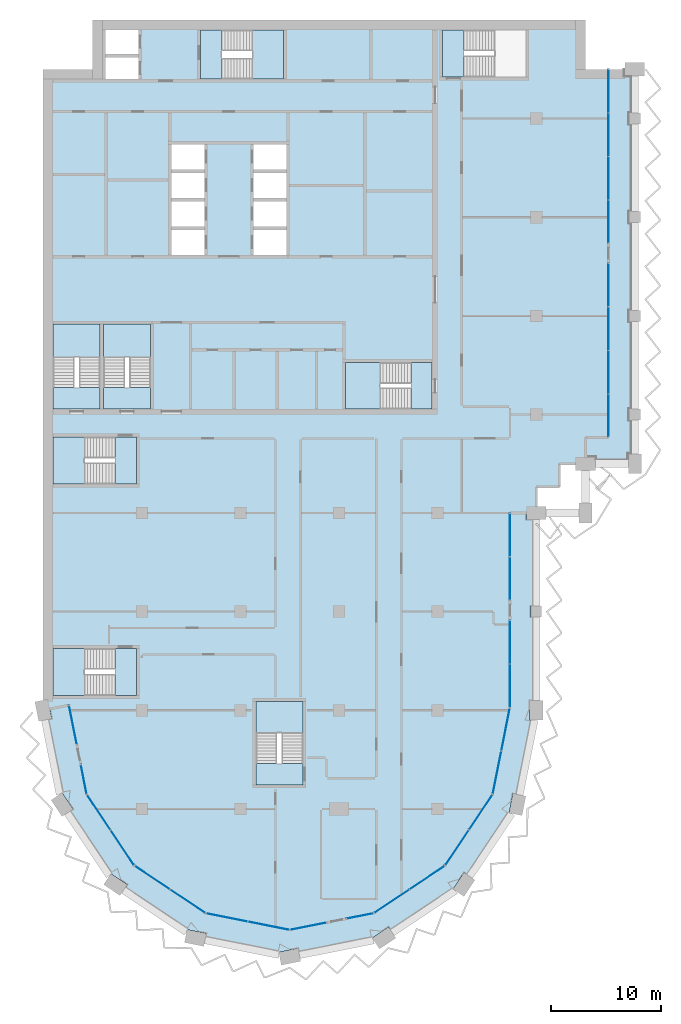
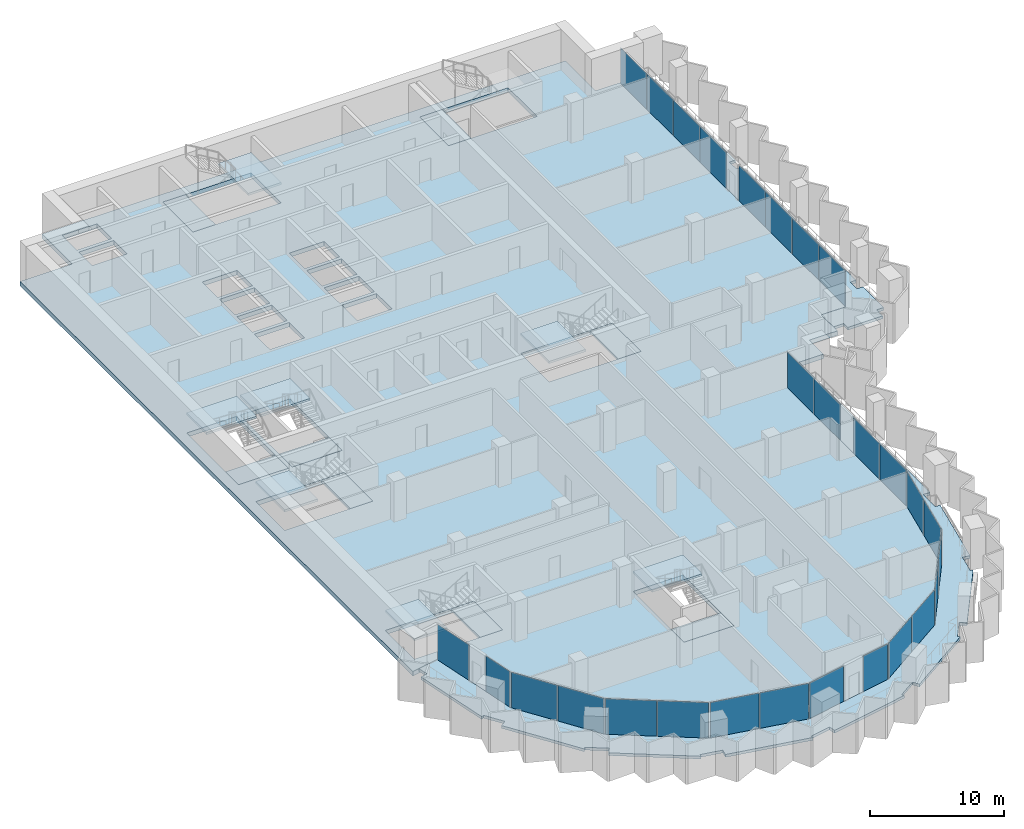
# One storey, part 6 of 17: 28 plates, 18 slabs, 21 elements without a shape of their own.
"""IFC4 building model written with IfcOpenShell, lengths in metres."""

from ifc_helpers import new_model, si_unit, direction, frame, origin, origin_2d, place, context, subcontext, project, spatial, polyline, rectangle, outline, extrude, material, layer, layer_set, type_object, element, aggregate, save


model = new_model("IFC4")

# Units and contexts
model_context = context("Model", 3, precision=1e-05, world=origin(), true_north=direction((0.0, 1.0)))
body_context = subcontext(model_context, "Body", "Model", "MODEL_VIEW")
ifc_project = project(units=[si_unit("LENGTHUNIT", "METRE"), si_unit("AREAUNIT", "SQUARE_METRE"), si_unit("VOLUMEUNIT", "CUBIC_METRE"), si_unit("PLANEANGLEUNIT", "RADIAN"), si_unit("MASSUNIT", "GRAM", prefix="KILO")], contexts=[model_context])

# Site, building, storey
site_placement = place(None, origin())
site = spatial("IfcSite", under=ifc_project, at=site_placement, CompositionType="ELEMENT")
building_placement = place(site_placement, origin())
building = spatial("IfcBuilding", under=site, at=building_placement, Name="Hunhe Ridgeline Campus", CompositionType="ELEMENT")
storey_placement = place(building_placement, frame((0.0, 0.0, 212.39990234375)))
storey = spatial("IfcBuildingStorey", under=building, at=storey_placement, Name="L54", CompositionType="ELEMENT", Elevation=212.39990234375)

# Curtain wall, plate
ifc_material_1 = material(Name="Aluminium 6063", Category="aluminium")
curtain_wall_type_1 = type_object("IfcCurtainWallType", Name="Curtain wall CW-5", PredefinedType="NOTDEFINED", material=ifc_material_1)
curtain_wall_1_placement = place(storey_placement, origin())
curtain_wall_1 = element("IfcCurtainWall", 1, at=curtain_wall_1_placement, inside=storey, type_object=curtain_wall_type_1, Name="Curtain wall 01", PredefinedType="NOTDEFINED")
ifc_material_2 = material(Name="Low-e laminated glass", Category="glass")
ifc_layer_1 = layer(ifc_material_2, 0.028076171875)
ifc_layer_set_1 = layer_set([ifc_layer_1], Name="Curtain wall glass panel 28 low-e laminated")
plate_type = type_object("IfcPlateType", Name="Curtain wall glass panel 28 low-e laminated", PredefinedType="CURTAIN_PANEL", material=ifc_layer_set_1)
plate_1_placement = place(storey_placement, frame((2.7158203125, 34.65380859375, 0.0), z_axis=(0.0, 0.0, 1.0), x_axis=(0.195095326561, -0.980784284924, 0.0)))
plate_1 = element("IfcPlate", 2, at=plate_1_placement, type_object=plate_type, Name="CW-5 panel 1", PredefinedType="CURTAIN_PANEL", context=body_context, shape_type="SweptSolid", body=[
    extrude(rectangle(XDim=3.560791015625, YDim=0.028076171875, at=origin_2d()), origin(), (0.0, 0.0, 1.0), 3.22998046875),
])
aggregate(curtain_wall_1, [plate_1])

curtain_wall_2_placement = place(storey_placement, origin())
curtain_wall_2 = element("IfcCurtainWall", 3, at=curtain_wall_2_placement, inside=storey, type_object=curtain_wall_type_1, Name="Curtain wall 02", PredefinedType="NOTDEFINED")
plate_2_placement = place(storey_placement, frame((3.701171875, 29.699951171875, 0.0), z_axis=(0.0, 0.0, 1.0), x_axis=(0.195095265587, -0.980784297053, 0.0)))
plate_2 = element("IfcPlate", 4, at=plate_2_placement, type_object=plate_type, Name="CW-5 panel 1", PredefinedType="CURTAIN_PANEL", context=body_context, shape_type="SweptSolid", body=[
    extrude(rectangle(XDim=2.660888671875, YDim=0.028076171875, at=origin_2d()), origin(), (0.0, 0.0, 1.0), 3.22998046875),
])
aggregate(curtain_wall_2, [plate_2])

# Curtain wall, plates
curtain_wall_3_placement = place(storey_placement, origin())
curtain_wall_3 = element("IfcCurtainWall", 5, at=curtain_wall_3_placement, inside=storey, type_object=curtain_wall_type_1, Name="Curtain wall 03", PredefinedType="NOTDEFINED")
plate_3_placement = place(storey_placement, frame((5.07080078125, 26.685546875, 0.0), z_axis=(0.0, 0.0, 1.0), x_axis=(0.555570274596, -0.831469584522, 0.0)))
plate_3 = element("IfcPlate", 6, at=plate_3_placement, type_object=plate_type, Name="CW-5 panel 1", PredefinedType="CURTAIN_PANEL", context=body_context, shape_type="SweptSolid", body=[
    extrude(rectangle(XDim=3.806884765625, YDim=0.028076171875, at=origin_2d()), origin(), (0.0, 0.0, 1.0), 3.22998046875),
])
plate_4_placement = place(storey_placement, frame((7.224609375, 23.4619140625, 0.0), z_axis=(0.0, 0.0, 1.0), x_axis=(0.555570274596, -0.831469584522, 0.0)))
plate_4 = element("IfcPlate", 7, at=plate_4_placement, type_object=plate_type, Name="CW-5 panel 2", PredefinedType="CURTAIN_PANEL", context=body_context, shape_type="SweptSolid", body=[
    extrude(rectangle(XDim=3.806884765625, YDim=0.028076171875, at=origin_2d()), origin(), (0.0, 0.0, 1.0), 3.22998046875),
])
aggregate(curtain_wall_3, [plate_3, plate_4])

curtain_wall_4_placement = place(storey_placement, origin())
curtain_wall_4 = element("IfcCurtainWall", 8, at=curtain_wall_4_placement, inside=storey, type_object=curtain_wall_type_1, Name="Curtain wall 04", PredefinedType="NOTDEFINED")
plate_5_placement = place(storey_placement, frame((9.9619140625, 20.724609375, 0.0), z_axis=(0.0, 0.0, 1.0), x_axis=(0.831469584522, -0.555570274596, 0.0)))
plate_5 = element("IfcPlate", 9, at=plate_5_placement, type_object=plate_type, Name="CW-5 panel 1", PredefinedType="CURTAIN_PANEL", context=body_context, shape_type="SweptSolid", body=[
    extrude(rectangle(XDim=3.806884765625, YDim=0.028076171875, at=origin_2d()), origin(), (0.0, 0.0, 1.0), 3.22998046875),
])
plate_6_placement = place(storey_placement, frame((13.185546875, 18.57080078125, 0.0), z_axis=(0.0, 0.0, 1.0), x_axis=(0.831469584522, -0.555570274596, 0.0)))
plate_6 = element("IfcPlate", 10, at=plate_6_placement, type_object=plate_type, Name="CW-5 panel 2", PredefinedType="CURTAIN_PANEL", context=body_context, shape_type="SweptSolid", body=[
    extrude(rectangle(XDim=3.806884765625, YDim=0.028076171875, at=origin_2d()), origin(), (0.0, 0.0, 1.0), 3.22998046875),
])
aggregate(curtain_wall_4, [plate_5, plate_6])

curtain_wall_5_placement = place(storey_placement, origin())
curtain_wall_5 = element("IfcCurtainWall", 11, at=curtain_wall_5_placement, inside=storey, type_object=curtain_wall_type_1, Name="Curtain wall 05", PredefinedType="NOTDEFINED")
plate_7_placement = place(storey_placement, frame((16.761962890625, 17.08935546875, 0.0), z_axis=(0.0, 0.0, 1.0), x_axis=(0.980785275326, -0.195090347539, 0.0)))
plate_7 = element("IfcPlate", 12, at=plate_7_placement, type_object=plate_type, Name="CW-5 panel 1", PredefinedType="CURTAIN_PANEL", context=body_context, shape_type="SweptSolid", body=[
    extrude(rectangle(XDim=3.806884765625, YDim=0.028076171875, at=origin_2d()), origin(), (0.0, 0.0, 1.0), 3.22998046875),
])
plate_8_placement = place(storey_placement, frame((20.564453125, 16.3330078125, 0.0), z_axis=(0.0, 0.0, 1.0), x_axis=(0.980785275326, -0.195090347539, 0.0)))
plate_8 = element("IfcPlate", 13, at=plate_8_placement, type_object=plate_type, Name="CW-5 panel 2", PredefinedType="CURTAIN_PANEL", context=body_context, shape_type="SweptSolid", body=[
    extrude(rectangle(XDim=3.806884765625, YDim=0.028076171875, at=origin_2d()), origin(), (0.0, 0.0, 1.0), 3.22998046875),
])
aggregate(curtain_wall_5, [plate_7, plate_8])

# Curtain wall, plate
curtain_wall_6_placement = place(storey_placement, origin())
curtain_wall_6 = element("IfcCurtainWall", 14, at=curtain_wall_6_placement, inside=storey, type_object=curtain_wall_type_1, Name="Curtain wall 06", PredefinedType="NOTDEFINED")
plate_9_placement = place(storey_placement, frame((24.19775390625, 16.28564453125, 0.0), z_axis=(0.0, 0.0, 1.0), x_axis=(0.980785270791, 0.19509037034, 0.0)))
plate_9 = element("IfcPlate", 15, at=plate_9_placement, type_object=plate_type, Name="CW-5 panel 1", PredefinedType="CURTAIN_PANEL", context=body_context, shape_type="SweptSolid", body=[
    extrude(rectangle(XDim=3.322021484375, YDim=0.028076171875, at=origin_2d()), origin(), (0.0, 0.0, 1.0), 3.22998046875),
])
aggregate(curtain_wall_6, [plate_9])

curtain_wall_7_placement = place(storey_placement, origin())
curtain_wall_7 = element("IfcCurtainWall", 16, at=curtain_wall_7_placement, inside=storey, type_object=curtain_wall_type_1, Name="Curtain wall 07", PredefinedType="NOTDEFINED")
plate_10_placement = place(storey_placement, frame((28.917236328125, 17.224609375, 0.0), z_axis=(0.0, 0.0, 1.0), x_axis=(0.980785242091, 0.195090514627, 0.0)))
plate_10 = element("IfcPlate", 17, at=plate_10_placement, type_object=plate_type, Name="CW-5 panel 1", PredefinedType="CURTAIN_PANEL", context=body_context, shape_type="SweptSolid", body=[
    extrude(rectangle(XDim=2.421875, YDim=0.028076171875, at=origin_2d()), origin(), (0.0, 0.0, 1.0), 3.22998046875),
])
aggregate(curtain_wall_7, [plate_10])

# Curtain wall, plates
curtain_wall_8_placement = place(storey_placement, origin())
curtain_wall_8 = element("IfcCurtainWall", 18, at=curtain_wall_8_placement, inside=storey, type_object=curtain_wall_type_1, Name="Curtain wall 08", PredefinedType="NOTDEFINED")
plate_11_placement = place(storey_placement, frame((31.814453125, 18.57080078125, 0.0), z_axis=(0.0, 0.0, 1.0), x_axis=(0.831469584522, 0.555570274596, 0.0)))
plate_11 = element("IfcPlate", 19, at=plate_11_placement, type_object=plate_type, Name="CW-5 panel 1", PredefinedType="CURTAIN_PANEL", context=body_context, shape_type="SweptSolid", body=[
    extrude(rectangle(XDim=3.806884765625, YDim=0.028076171875, at=origin_2d()), origin(), (0.0, 0.0, 1.0), 3.22998046875),
])
plate_12_placement = place(storey_placement, frame((35.0380859375, 20.724609375, 0.0), z_axis=(0.0, 0.0, 1.0), x_axis=(0.831469584522, 0.555570274596, 0.0)))
plate_12 = element("IfcPlate", 20, at=plate_12_placement, type_object=plate_type, Name="CW-5 panel 2", PredefinedType="CURTAIN_PANEL", context=body_context, shape_type="SweptSolid", body=[
    extrude(rectangle(XDim=3.806884765625, YDim=0.028076171875, at=origin_2d()), origin(), (0.0, 0.0, 1.0), 3.22998046875),
])
aggregate(curtain_wall_8, [plate_11, plate_12])

curtain_wall_9_placement = place(storey_placement, origin())
curtain_wall_9 = element("IfcCurtainWall", 21, at=curtain_wall_9_placement, inside=storey, type_object=curtain_wall_type_1, Name="Curtain wall 09", PredefinedType="NOTDEFINED")
plate_13_placement = place(storey_placement, frame((37.775390625, 23.4619140625, 0.0), z_axis=(0.0, 0.0, 1.0), x_axis=(0.555570274596, 0.831469584522, 0.0)))
plate_13 = element("IfcPlate", 22, at=plate_13_placement, type_object=plate_type, Name="CW-5 panel 1", PredefinedType="CURTAIN_PANEL", context=body_context, shape_type="SweptSolid", body=[
    extrude(rectangle(XDim=3.806884765625, YDim=0.028076171875, at=origin_2d()), origin(), (0.0, 0.0, 1.0), 3.22998046875),
])
plate_14_placement = place(storey_placement, frame((39.92919921875, 26.685546875, 0.0), z_axis=(0.0, 0.0, 1.0), x_axis=(0.555570274596, 0.831469584522, 0.0)))
plate_14 = element("IfcPlate", 23, at=plate_14_placement, type_object=plate_type, Name="CW-5 panel 2", PredefinedType="CURTAIN_PANEL", context=body_context, shape_type="SweptSolid", body=[
    extrude(rectangle(XDim=3.806884765625, YDim=0.028076171875, at=origin_2d()), origin(), (0.0, 0.0, 1.0), 3.22998046875),
])
aggregate(curtain_wall_9, [plate_13, plate_14])

curtain_wall_10_placement = place(storey_placement, origin())
curtain_wall_10 = element("IfcCurtainWall", 24, at=curtain_wall_10_placement, inside=storey, type_object=curtain_wall_type_1, Name="Curtain wall 10", PredefinedType="NOTDEFINED")
plate_15_placement = place(storey_placement, frame((41.42236328125, 30.321044921875, 0.0), z_axis=(0.0, 0.0, 1.0), x_axis=(0.195090299215, 0.980785284939, 0.0)))
plate_15 = element("IfcPlate", 25, at=plate_15_placement, type_object=plate_type, Name="CW-5 panel 1", PredefinedType="CURTAIN_PANEL", context=body_context, shape_type="SweptSolid", body=[
    extrude(rectangle(XDim=3.927490234375, YDim=0.028076171875, at=origin_2d()), origin(), (0.0, 0.0, 1.0), 3.22998046875),
])
plate_16_placement = place(storey_placement, frame((42.2021484375, 34.24169921875, 0.0), z_axis=(0.0, 0.0, 1.0), x_axis=(0.195090299215, 0.980785284939, 0.0)))
plate_16 = element("IfcPlate", 26, at=plate_16_placement, type_object=plate_type, Name="CW-5 panel 2", PredefinedType="CURTAIN_PANEL", context=body_context, shape_type="SweptSolid", body=[
    extrude(rectangle(XDim=3.927490234375, YDim=0.028076171875, at=origin_2d()), origin(), (0.0, 0.0, 1.0), 3.22998046875),
])
aggregate(curtain_wall_10, [plate_15, plate_16])

curtain_wall_type_2 = type_object("IfcCurtainWallType", Name="Curtain wall CW-1", PredefinedType="NOTDEFINED", material=ifc_material_1)
curtain_wall_11_placement = place(storey_placement, origin())
curtain_wall_11 = element("IfcCurtainWall", 27, at=curtain_wall_11_placement, inside=storey, type_object=curtain_wall_type_2, Name="Curtain wall 11", PredefinedType="NOTDEFINED")
plate_17_placement = place(storey_placement, frame((42.59912109375, 38.2470703125, 0.0), z_axis=(0.0, 0.0, 1.0), x_axis=(6.639948e-06, 0.999999999978, 0.0)))
plate_17 = element("IfcPlate", 28, at=plate_17_placement, type_object=plate_type, Name="CW-1 panel 1", PredefinedType="CURTAIN_PANEL", context=body_context, shape_type="SweptSolid", body=[
    extrude(rectangle(XDim=3.90087890625, YDim=0.028076171875, at=origin_2d()), origin(), (0.0, 0.0, 1.0), 3.239990234375),
])
plate_18_placement = place(storey_placement, frame((42.59912109375, 42.2080078125, 0.0), z_axis=(0.0, 0.0, 1.0), x_axis=(6.639948e-06, 0.999999999978, 0.0)))
plate_18 = element("IfcPlate", 29, at=plate_18_placement, type_object=plate_type, Name="CW-1 panel 2", PredefinedType="CURTAIN_PANEL", context=body_context, shape_type="SweptSolid", body=[
    extrude(rectangle(XDim=3.90087890625, YDim=0.028076171875, at=origin_2d()), origin(), (0.0, 0.0, 1.0), 3.239990234375),
])
aggregate(curtain_wall_11, [plate_17, plate_18])

curtain_wall_12_placement = place(storey_placement, origin())
curtain_wall_12 = element("IfcCurtainWall", 30, at=curtain_wall_12_placement, inside=storey, type_object=curtain_wall_type_2, Name="Curtain wall 12", PredefinedType="NOTDEFINED")
plate_19_placement = place(storey_placement, frame((42.59912109375, 48.029052734375, 0.0), z_axis=(0.0, 0.0, 1.0), x_axis=(6.639948e-06, 0.999999999978, 0.0)))
plate_19 = element("IfcPlate", 31, at=plate_19_placement, type_object=plate_type, Name="CW-1 panel 1", PredefinedType="CURTAIN_PANEL", context=body_context, shape_type="SweptSolid", body=[
    extrude(rectangle(XDim=3.90087890625, YDim=0.028076171875, at=origin_2d()), origin(), (0.0, 0.0, 1.0), 3.239990234375),
])
plate_20_placement = place(storey_placement, frame((42.59912109375, 51.989990234375, 0.0), z_axis=(0.0, 0.0, 1.0), x_axis=(6.639948e-06, 0.999999999978, 0.0)))
plate_20 = element("IfcPlate", 32, at=plate_20_placement, type_object=plate_type, Name="CW-1 panel 2", PredefinedType="CURTAIN_PANEL", context=body_context, shape_type="SweptSolid", body=[
    extrude(rectangle(XDim=3.90087890625, YDim=0.028076171875, at=origin_2d()), origin(), (0.0, 0.0, 1.0), 3.239990234375),
])
aggregate(curtain_wall_12, [plate_19, plate_20])

curtain_wall_13_placement = place(storey_placement, origin())
curtain_wall_13 = element("IfcCurtainWall", 33, at=curtain_wall_13_placement, inside=storey, type_object=curtain_wall_type_2, Name="Curtain wall 13", PredefinedType="NOTDEFINED")
plate_21_placement = place(storey_placement, frame((51.59912109375, 62.9033203125, 0.0), z_axis=(0.0, 0.0, 1.0), x_axis=(0.0, 1.0, 0.0)))
plate_21 = element("IfcPlate", 34, at=plate_21_placement, type_object=plate_type, Name="CW-1 panel 1", PredefinedType="CURTAIN_PANEL", context=body_context, shape_type="SweptSolid", body=[
    extrude(rectangle(XDim=3.884765625, YDim=0.028076171875, at=origin_2d()), origin(), (0.0, 0.0, 1.0), 3.239990234375),
])
plate_22_placement = place(storey_placement, frame((51.59912109375, 66.86328125, 0.0), z_axis=(0.0, 0.0, 1.0), x_axis=(0.0, 1.0, 0.0)))
plate_22 = element("IfcPlate", 35, at=plate_22_placement, type_object=plate_type, Name="CW-1 panel 2", PredefinedType="CURTAIN_PANEL", context=body_context, shape_type="SweptSolid", body=[
    extrude(rectangle(XDim=3.914794921875, YDim=0.028076171875, at=origin_2d()), origin(), (0.0, 0.0, 1.0), 3.239990234375),
])
plate_23_placement = place(storey_placement, frame((51.59912109375, 70.838134765625, 0.0), z_axis=(0.0, 0.0, 1.0), x_axis=(0.0, 1.0, 0.0)))
plate_23 = element("IfcPlate", 36, at=plate_23_placement, type_object=plate_type, Name="CW-1 panel 3", PredefinedType="CURTAIN_PANEL", context=body_context, shape_type="SweptSolid", body=[
    extrude(rectangle(XDim=3.914794921875, YDim=0.028076171875, at=origin_2d()), origin(), (0.0, 0.0, 1.0), 3.239990234375),
])
plate_24_placement = place(storey_placement, frame((51.59912109375, 74.798095703125, 0.0), z_axis=(0.0, 0.0, 1.0), x_axis=(0.0, 1.0, 0.0)))
plate_24 = element("IfcPlate", 37, at=plate_24_placement, type_object=plate_type, Name="CW-1 panel 4", PredefinedType="CURTAIN_PANEL", context=body_context, shape_type="SweptSolid", body=[
    extrude(rectangle(XDim=3.884765625, YDim=0.028076171875, at=origin_2d()), origin(), (0.0, 0.0, 1.0), 3.239990234375),
])
aggregate(curtain_wall_13, [plate_21, plate_22, plate_23, plate_24])

curtain_wall_14_placement = place(storey_placement, origin())
curtain_wall_14 = element("IfcCurtainWall", 38, at=curtain_wall_14_placement, inside=storey, type_object=curtain_wall_type_2, Name="Curtain wall 14", PredefinedType="NOTDEFINED")
plate_25_placement = place(storey_placement, frame((51.59912109375, 80.60302734375, 0.0), z_axis=(0.0, 0.0, 1.0), x_axis=(0.0, 1.0, 0.0)))
plate_25 = element("IfcPlate", 39, at=plate_25_placement, type_object=plate_type, Name="CW-1 panel 1", PredefinedType="CURTAIN_PANEL", context=body_context, shape_type="SweptSolid", body=[
    extrude(rectangle(XDim=3.884765625, YDim=0.028076171875, at=origin_2d()), origin(), (0.0, 0.0, 1.0), 3.239990234375),
])
plate_26_placement = place(storey_placement, frame((51.59912109375, 84.562744140625, 0.0), z_axis=(0.0, 0.0, 1.0), x_axis=(0.0, 1.0, 0.0)))
plate_26 = element("IfcPlate", 40, at=plate_26_placement, type_object=plate_type, Name="CW-1 panel 2", PredefinedType="CURTAIN_PANEL", context=body_context, shape_type="SweptSolid", body=[
    extrude(rectangle(XDim=3.914794921875, YDim=0.028076171875, at=origin_2d()), origin(), (0.0, 0.0, 1.0), 3.239990234375),
])
plate_27_placement = place(storey_placement, frame((51.59912109375, 88.53759765625, 0.0), z_axis=(0.0, 0.0, 1.0), x_axis=(0.0, 1.0, 0.0)))
plate_27 = element("IfcPlate", 41, at=plate_27_placement, type_object=plate_type, Name="CW-1 panel 3", PredefinedType="CURTAIN_PANEL", context=body_context, shape_type="SweptSolid", body=[
    extrude(rectangle(XDim=3.914794921875, YDim=0.028076171875, at=origin_2d()), origin(), (0.0, 0.0, 1.0), 3.239990234375),
])
plate_28_placement = place(storey_placement, frame((51.59912109375, 92.49755859375, 0.0), z_axis=(0.0, 0.0, 1.0), x_axis=(0.0, 1.0, 0.0)))
plate_28 = element("IfcPlate", 42, at=plate_28_placement, type_object=plate_type, Name="CW-1 panel 4", PredefinedType="CURTAIN_PANEL", context=body_context, shape_type="SweptSolid", body=[
    extrude(rectangle(XDim=3.884765625, YDim=0.028076171875, at=origin_2d()), origin(), (0.0, 0.0, 1.0), 3.239990234375),
])
aggregate(curtain_wall_14, [plate_25, plate_26, plate_27, plate_28])

# Slabs
ifc_material_3 = material(Name="Concrete C40", Category="concrete")
ifc_layer_2 = layer(ifc_material_3, 0.39990234375)
ifc_layer_set_2 = layer_set([ifc_layer_2], Name="Floor slab 400 Concrete C40")
slab_type_1 = type_object("IfcSlabType", Name="Floor slab 400 Concrete C40", PredefinedType="FLOOR", material=ifc_layer_set_2)
slab_1_placement = place(storey_placement, frame((0.0, 0.0, -0.39990234375)))
element("IfcSlab", 43, at=slab_1_placement, inside=storey, type_object=slab_type_1, Name="Floor slab L54 1", PredefinedType="FLOOR", context=body_context, shape_type="SweptSolid", body=[
    extrude(outline(polyline([(30.173583984375, 17.474365234375), (36.678955078125, 21.821044921875), (41.025634765625, 28.326416015625), (42.59912109375, 36.236572265625), (42.59912109375, 54.00048828125), (44.9990234375, 54.0009765625), (44.999267578125, 56.400634765625), (47.09912109375, 56.40087890625), (47.099609375, 58.5009765625), (49.4990234375, 58.5009765625), (49.49951171875, 60.90087890625), (51.59912109375, 60.90087890625), (51.59912109375, 94.5), (49.5, 94.5), (49.5, 99.0), (4.5, 99.0), (4.5, 94.5), (0.0, 94.5), (0.0, 36.0009765625), (2.354736328125, 36.46875), (3.974365234375, 28.326416015625), (8.321044921875, 21.821044921875), (14.826416015625, 17.474365234375), (22.5, 15.947998046875), (30.173583984375, 17.474365234375)]), holes=[polyline([(36.449951171875, 93.800048828125), (44.050048828125, 93.800048828125), (44.050048828125, 98.10009765625), (36.449951171875, 98.10009765625), (36.449951171875, 93.800048828125)]), polyline([(35.5, 63.5), (35.5, 67.75), (27.60009765625, 67.75), (27.60009765625, 63.5), (35.5, 63.5)]), polyline([(19.39990234375, 29.199951171875), (23.699951171875, 29.199951171875), (23.699951171875, 36.800048828125), (19.39990234375, 36.800048828125), (19.39990234375, 29.199951171875)]), polyline([(22.199951171875, 80.14990234375), (22.199951171875, 82.449951171875), (19.199951171875, 82.449951171875), (19.199951171875, 80.14990234375), (22.199951171875, 80.14990234375)]), polyline([(22.199951171875, 79.85009765625), (19.199951171875, 79.85009765625), (19.199951171875, 77.550048828125), (22.199951171875, 77.550048828125), (22.199951171875, 79.85009765625)]), polyline([(19.199951171875, 87.64990234375), (19.199951171875, 85.35009765625), (22.199951171875, 85.35009765625), (22.199951171875, 87.64990234375), (19.199951171875, 87.64990234375)]), polyline([(19.199951171875, 82.75), (22.199951171875, 82.75), (22.199951171875, 85.050048828125), (19.199951171875, 85.050048828125), (19.199951171875, 82.75)]), polyline([(14.35009765625, 93.60009765625), (21.949951171875, 93.60009765625), (21.949951171875, 98.10009765625), (14.35009765625, 98.10009765625), (14.35009765625, 93.60009765625)]), polyline([(14.699951171875, 79.85009765625), (11.699951171875, 79.85009765625), (11.699951171875, 77.550048828125), (14.699951171875, 77.550048828125), (14.699951171875, 79.85009765625)]), polyline([(14.699951171875, 80.14990234375), (14.699951171875, 82.449951171875), (11.699951171875, 82.449951171875), (11.699951171875, 80.14990234375), (14.699951171875, 80.14990234375)]), polyline([(11.699951171875, 87.64990234375), (11.699951171875, 85.35009765625), (14.699951171875, 85.35009765625), (14.699951171875, 87.64990234375), (11.699951171875, 87.64990234375)]), polyline([(11.699951171875, 82.75), (14.699951171875, 82.75), (14.699951171875, 85.050048828125), (11.699951171875, 85.050048828125), (11.699951171875, 82.75)]), polyline([(9.800048828125, 71.25), (5.5, 71.25), (5.5, 63.5), (9.800048828125, 63.5), (9.800048828125, 71.25)]), polyline([(8.699951171875, 95.89990234375), (8.699951171875, 98.10009765625), (5.699951171875, 98.10009765625), (5.699951171875, 95.89990234375), (8.699951171875, 95.89990234375)]), polyline([(8.699951171875, 95.60009765625), (5.699951171875, 95.60009765625), (5.699951171875, 93.60009765625), (8.699951171875, 93.60009765625), (8.699951171875, 95.60009765625)]), polyline([(0.89990234375, 37.35009765625), (8.5, 37.35009765625), (8.5, 41.64990234375), (0.89990234375, 41.64990234375), (0.89990234375, 37.35009765625)]), polyline([(0.89990234375, 60.949951171875), (0.89990234375, 56.64990234375), (8.5, 56.64990234375), (8.5, 60.949951171875), (0.89990234375, 60.949951171875)]), polyline([(0.89990234375, 71.25), (0.89990234375, 63.5), (5.199951171875, 63.5), (5.199951171875, 71.25), (0.89990234375, 71.25)])]), origin(), (0.0, 0.0, 1.0), 0.39990234375),
])
ifc_layer_3 = layer(ifc_material_3, 0.25)
ifc_layer_set_3 = layer_set([ifc_layer_3], Name="Loggia slab 250 Concrete C40")
slab_type_2 = type_object("IfcSlabType", Name="Loggia slab 250 Concrete C40", PredefinedType="FLOOR", material=ifc_layer_set_3)
slab_2_placement = place(storey_placement, frame((0.0, 0.0, -0.25)))
element("IfcSlab", 44, at=slab_2_placement, inside=storey, type_object=slab_type_2, Name="Loggia slab 1", PredefinedType="FLOOR", context=body_context, shape_type="SweptSolid", body=[
    extrude(outline(polyline([(30.173828125, 17.473388671875), (22.5, 15.947021484375), (14.826171875, 17.473388671875), (8.3203125, 21.8203125), (3.973388671875, 28.326171875), (2.35400390625, 36.46826171875), (0.58837890625, 36.116943359375), (0.76416015625, 35.234375), (0.175537109375, 35.1171875), (1.522705078125, 28.344970703125), (1.711669921875, 28.47119140625), (2.711669921875, 26.974609375), (2.212646484375, 26.641357421875), (6.048828125, 20.900146484375), (6.175048828125, 21.089111328125), (7.671875, 20.0888671875), (7.33837890625, 19.590087890625), (13.07958984375, 15.75390625), (13.1240234375, 15.976806640625), (14.889404296875, 15.62548828125), (14.772216796875, 15.037109375), (21.544677734375, 13.68994140625), (21.500244140625, 13.912841796875), (23.265625, 14.26416015625), (23.3828125, 13.675537109375), (30.155029296875, 15.022705078125), (30.02880859375, 15.211669921875), (31.525390625, 16.211669921875), (31.858642578125, 15.712646484375), (37.599853515625, 19.548828125), (37.410888671875, 19.675048828125), (38.4111328125, 21.171875), (38.909912109375, 20.83837890625), (42.74609375, 26.57958984375), (42.523193359375, 26.6240234375), (42.87451171875, 28.389404296875), (43.462890625, 28.272216796875), (44.821044921875, 35.10009765625), (44.39990234375, 35.10009765625), (44.39990234375, 36.89990234375), (45.0, 36.89990234375), (45.0, 44.5), (44.5, 44.5), (44.5, 45.5), (45.0, 45.5), (45.0, 53.39990234375), (44.10009765625, 53.39990234375), (44.10009765625, 54.0), (42.60009765625, 54.0), (42.60009765625, 36.236328125), (41.026611328125, 28.326171875), (36.6796875, 21.8203125), (30.173828125, 17.473388671875)])), origin(), (0.0, 0.0, 1.0), 0.25),
])
slab_3_placement = place(storey_placement, frame((0.0, 0.0, -0.25)))
element("IfcSlab", 45, at=slab_3_placement, inside=storey, type_object=slab_type_2, Name="Loggia slab 2", PredefinedType="FLOOR", context=body_context, shape_type="SweptSolid", body=[
    extrude(outline(polyline([(49.5, 59.10009765625), (50.39990234375, 59.10009765625), (50.39990234375, 58.5), (53.39990234375, 58.5), (53.39990234375, 59.39990234375), (54.0, 59.39990234375), (54.0, 62.5), (53.5, 62.5), (53.5, 63.5), (54.0, 63.5), (54.0, 71.5), (53.5, 71.5), (53.5, 72.5), (54.0, 72.5), (54.0, 80.5), (53.5, 80.5), (53.5, 81.5), (54.0, 81.5), (54.0, 89.5), (53.5, 89.5), (53.5, 90.5), (54.0, 90.5), (54.0, 93.89990234375), (53.10009765625, 93.89990234375), (53.10009765625, 94.5), (51.60009765625, 94.5), (51.60009765625, 60.89990234375), (49.5, 60.89990234375), (49.5, 59.10009765625)])), origin(), (0.0, 0.0, 1.0), 0.25),
])

# Stair, slab
stair_type = type_object("IfcStairType", Name="Reinforced concrete dog-leg stair 1950 Concrete C40", PredefinedType="HALF_TURN_STAIR", material=ifc_material_3)
stair_1_placement = place(storey_placement, origin())
stair_1 = element("IfcStair", 46, at=stair_1_placement, inside=storey, type_object=stair_type, Name="L54 S1", PredefinedType="HALF_TURN_STAIR")
ifc_layer_4 = layer(ifc_material_3, 0.199951171875)
ifc_layer_set_4 = layer_set([ifc_layer_4], Name="Reinforced concrete stair landing 200 Concrete C40")
slab_type_3 = type_object("IfcSlabType", Name="Reinforced concrete stair landing 200 Concrete C40", PredefinedType="LANDING", material=ifc_layer_set_4)
slab_4_placement = place(storey_placement, frame((0.0, 0.0, 1.650146484375)))
slab_4 = element("IfcSlab", 47, at=slab_4_placement, type_object=slab_type_3, Name="ST1 landing 1", PredefinedType="LANDING", context=body_context, shape_type="SweptSolid", body=[
    extrude(outline(polyline([(19.10009765625, 93.60009765625), (21.949951171875, 93.60009765625), (21.949951171875, 98.10009765625), (19.10009765625, 98.10009765625), (19.10009765625, 93.60009765625)])), origin(), (0.0, 0.0, 1.0), 0.199951171875),
])
aggregate(stair_1, [slab_4])

# Slab
slab_5_placement = place(storey_placement, frame((0.0, 0.0, -0.199951171875)))
element("IfcSlab", 48, at=slab_5_placement, inside=storey, type_object=slab_type_3, Name="L54 stair S1 floor landing", PredefinedType="LANDING", context=body_context, shape_type="SweptSolid", body=[
    extrude(outline(polyline([(14.35009765625, 93.60009765625), (16.300048828125, 93.60009765625), (16.300048828125, 98.10009765625), (14.35009765625, 98.10009765625), (14.35009765625, 93.60009765625)])), origin(), (0.0, 0.0, 1.0), 0.199951171875),
])

# Stair, slab
stair_2_placement = place(storey_placement, origin())
stair_2 = element("IfcStair", 49, at=stair_2_placement, inside=storey, type_object=stair_type, Name="L54 S2", PredefinedType="HALF_TURN_STAIR")
slab_6_placement = place(storey_placement, frame((0.0, 0.0, 1.650146484375)))
slab_6 = element("IfcSlab", 50, at=slab_6_placement, type_object=slab_type_3, Name="ST2 landing 1", PredefinedType="LANDING", context=body_context, shape_type="SweptSolid", body=[
    extrude(outline(polyline([(30.75, 67.75), (27.60009765625, 67.75), (27.60009765625, 63.5), (30.75, 63.5), (30.75, 67.75)])), origin(), (0.0, 0.0, 1.0), 0.199951171875),
])
aggregate(stair_2, [slab_6])

# Slab
slab_7_placement = place(storey_placement, frame((0.0, 0.0, -0.199951171875)))
element("IfcSlab", 51, at=slab_7_placement, inside=storey, type_object=slab_type_3, Name="L54 stair S2 floor landing", PredefinedType="LANDING", context=body_context, shape_type="SweptSolid", body=[
    extrude(outline(polyline([(35.5, 67.75), (33.550048828125, 67.75), (33.550048828125, 63.5), (35.5, 63.5), (35.5, 67.75)])), origin(), (0.0, 0.0, 1.0), 0.199951171875),
])

# Stair, slab
stair_3_placement = place(storey_placement, origin())
stair_3 = element("IfcStair", 52, at=stair_3_placement, inside=storey, type_object=stair_type, Name="L54 S3", PredefinedType="HALF_TURN_STAIR")
slab_8_placement = place(storey_placement, frame((0.0, 0.0, 1.650146484375)))
slab_8 = element("IfcSlab", 53, at=slab_8_placement, type_object=slab_type_3, Name="ST3 landing 1", PredefinedType="LANDING", context=body_context, shape_type="SweptSolid", body=[
    extrude(outline(polyline([(5.199951171875, 68.25), (5.199951171875, 71.25), (0.89990234375, 71.25), (0.89990234375, 68.25), (5.199951171875, 68.25)])), origin(), (0.0, 0.0, 1.0), 0.199951171875),
])
aggregate(stair_3, [slab_8])

# Slab
slab_9_placement = place(storey_placement, frame((0.0, 0.0, -0.199951171875)))
element("IfcSlab", 54, at=slab_9_placement, inside=storey, type_object=slab_type_3, Name="L54 stair S3 floor landing", PredefinedType="LANDING", context=body_context, shape_type="SweptSolid", body=[
    extrude(outline(polyline([(5.199951171875, 63.5), (5.199951171875, 65.449951171875), (0.89990234375, 65.449951171875), (0.89990234375, 63.5), (5.199951171875, 63.5)])), origin(), (0.0, 0.0, 1.0), 0.199951171875),
])

# Stair, slab
stair_4_placement = place(storey_placement, origin())
stair_4 = element("IfcStair", 55, at=stair_4_placement, inside=storey, type_object=stair_type, Name="L54 S4", PredefinedType="HALF_TURN_STAIR")
slab_10_placement = place(storey_placement, frame((0.0, 0.0, 1.650146484375)))
slab_10 = element("IfcSlab", 56, at=slab_10_placement, type_object=slab_type_3, Name="ST4 landing 1", PredefinedType="LANDING", context=body_context, shape_type="SweptSolid", body=[
    extrude(outline(polyline([(9.800048828125, 68.25), (9.800048828125, 71.25), (5.5, 71.25), (5.5, 68.25), (9.800048828125, 68.25)])), origin(), (0.0, 0.0, 1.0), 0.199951171875),
])
aggregate(stair_4, [slab_10])

# Slabs
slab_11_placement = place(storey_placement, frame((0.0, 0.0, -0.199951171875)))
element("IfcSlab", 57, at=slab_11_placement, inside=storey, type_object=slab_type_3, Name="L54 stair S4 floor landing", PredefinedType="LANDING", context=body_context, shape_type="SweptSolid", body=[
    extrude(outline(polyline([(9.800048828125, 63.5), (9.800048828125, 65.449951171875), (5.5, 65.449951171875), (5.5, 63.5), (9.800048828125, 63.5)])), origin(), (0.0, 0.0, 1.0), 0.199951171875),
])
slab_12_placement = place(storey_placement, frame((0.0, 0.0, -0.199951171875)))
element("IfcSlab", 58, at=slab_12_placement, inside=storey, type_object=slab_type_3, Name="L54 stair E1 floor landing", PredefinedType="LANDING", context=body_context, shape_type="SweptSolid", body=[
    extrude(outline(polyline([(36.449951171875, 93.800048828125), (38.39990234375, 93.800048828125), (38.39990234375, 98.10009765625), (36.449951171875, 98.10009765625), (36.449951171875, 93.800048828125)])), origin(), (0.0, 0.0, 1.0), 0.199951171875),
])

# Stair, slab
stair_5_placement = place(storey_placement, origin())
stair_5 = element("IfcStair", 59, at=stair_5_placement, inside=storey, type_object=stair_type, Name="L54 W3", PredefinedType="HALF_TURN_STAIR")
slab_13_placement = place(storey_placement, frame((0.0, 0.0, 1.650146484375)))
slab_13 = element("IfcSlab", 60, at=slab_13_placement, type_object=slab_type_3, Name="ST9 landing 1", PredefinedType="LANDING", context=body_context, shape_type="SweptSolid", body=[
    extrude(outline(polyline([(23.699951171875, 33.949951171875), (23.699951171875, 36.800048828125), (19.39990234375, 36.800048828125), (19.39990234375, 33.949951171875), (23.699951171875, 33.949951171875)])), origin(), (0.0, 0.0, 1.0), 0.199951171875),
])
aggregate(stair_5, [slab_13])

# Slab
slab_14_placement = place(storey_placement, frame((0.0, 0.0, -0.199951171875)))
element("IfcSlab", 61, at=slab_14_placement, inside=storey, type_object=slab_type_3, Name="L54 stair W3 floor landing", PredefinedType="LANDING", context=body_context, shape_type="SweptSolid", body=[
    extrude(outline(polyline([(23.699951171875, 29.199951171875), (23.699951171875, 31.14990234375), (19.39990234375, 31.14990234375), (19.39990234375, 29.199951171875), (23.699951171875, 29.199951171875)])), origin(), (0.0, 0.0, 1.0), 0.199951171875),
])

# Stair, slab
stair_6_placement = place(storey_placement, origin())
stair_6 = element("IfcStair", 62, at=stair_6_placement, inside=storey, type_object=stair_type, Name="L54 W1", PredefinedType="HALF_TURN_STAIR")
slab_15_placement = place(storey_placement, frame((0.0, 0.0, 1.650146484375)))
slab_15 = element("IfcSlab", 63, at=slab_15_placement, type_object=slab_type_3, Name="ST11 landing 1", PredefinedType="LANDING", context=body_context, shape_type="SweptSolid", body=[
    extrude(outline(polyline([(3.75, 41.64990234375), (0.89990234375, 41.64990234375), (0.89990234375, 37.35009765625), (3.75, 37.35009765625), (3.75, 41.64990234375)])), origin(), (0.0, 0.0, 1.0), 0.199951171875),
])
aggregate(stair_6, [slab_15])

# Slab
slab_16_placement = place(storey_placement, frame((0.0, 0.0, -0.199951171875)))
element("IfcSlab", 64, at=slab_16_placement, inside=storey, type_object=slab_type_3, Name="L54 stair W1 floor landing", PredefinedType="LANDING", context=body_context, shape_type="SweptSolid", body=[
    extrude(outline(polyline([(8.5, 41.64990234375), (6.550048828125, 41.64990234375), (6.550048828125, 37.35009765625), (8.5, 37.35009765625), (8.5, 41.64990234375)])), origin(), (0.0, 0.0, 1.0), 0.199951171875),
])

# Stair, slab
stair_7_placement = place(storey_placement, origin())
stair_7 = element("IfcStair", 65, at=stair_7_placement, inside=storey, type_object=stair_type, Name="L54 W2", PredefinedType="HALF_TURN_STAIR")
slab_17_placement = place(storey_placement, frame((0.0, 0.0, 1.650146484375)))
slab_17 = element("IfcSlab", 66, at=slab_17_placement, type_object=slab_type_3, Name="ST12 landing 1", PredefinedType="LANDING", context=body_context, shape_type="SweptSolid", body=[
    extrude(outline(polyline([(3.75, 60.949951171875), (0.89990234375, 60.949951171875), (0.89990234375, 56.64990234375), (3.75, 56.64990234375), (3.75, 60.949951171875)])), origin(), (0.0, 0.0, 1.0), 0.199951171875),
])
aggregate(stair_7, [slab_17])

# Slab
slab_18_placement = place(storey_placement, frame((0.0, 0.0, -0.199951171875)))
element("IfcSlab", 67, at=slab_18_placement, inside=storey, type_object=slab_type_3, Name="L54 stair W2 floor landing", PredefinedType="LANDING", context=body_context, shape_type="SweptSolid", body=[
    extrude(outline(polyline([(8.5, 60.949951171875), (6.550048828125, 60.949951171875), (6.550048828125, 56.64990234375), (8.5, 56.64990234375), (8.5, 60.949951171875)])), origin(), (0.0, 0.0, 1.0), 0.199951171875),
])

save(model, "model.ifc")
